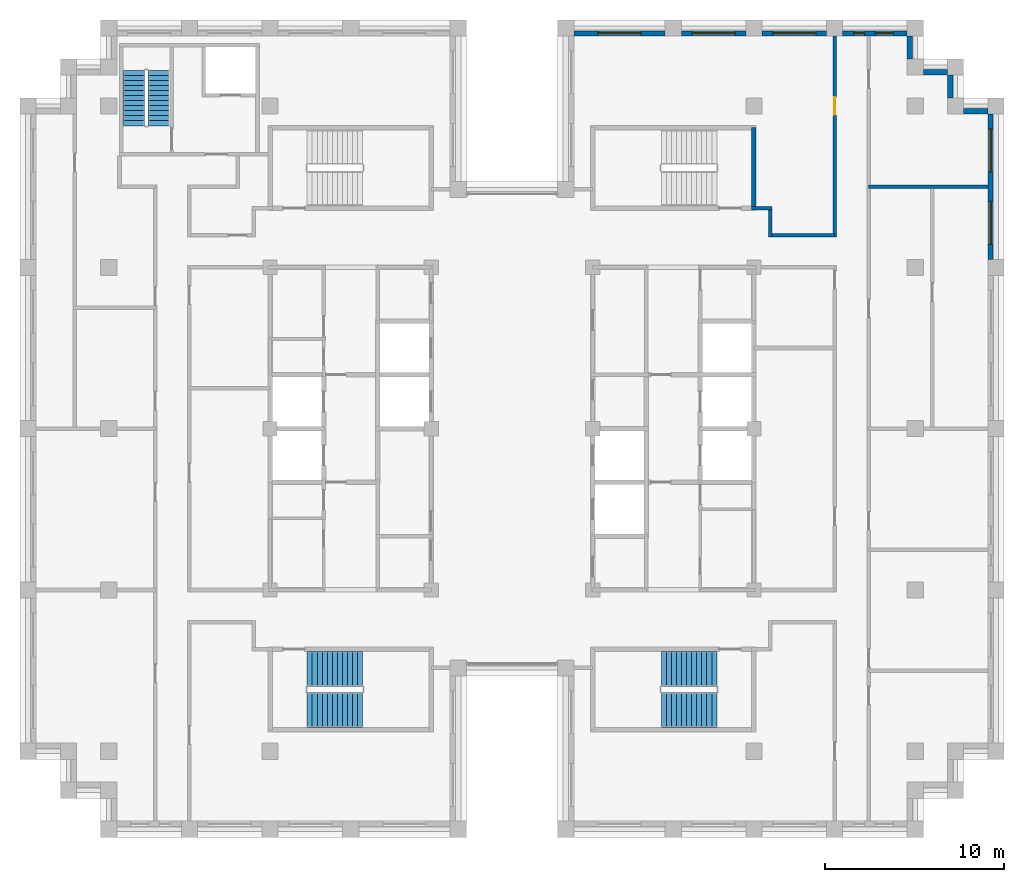
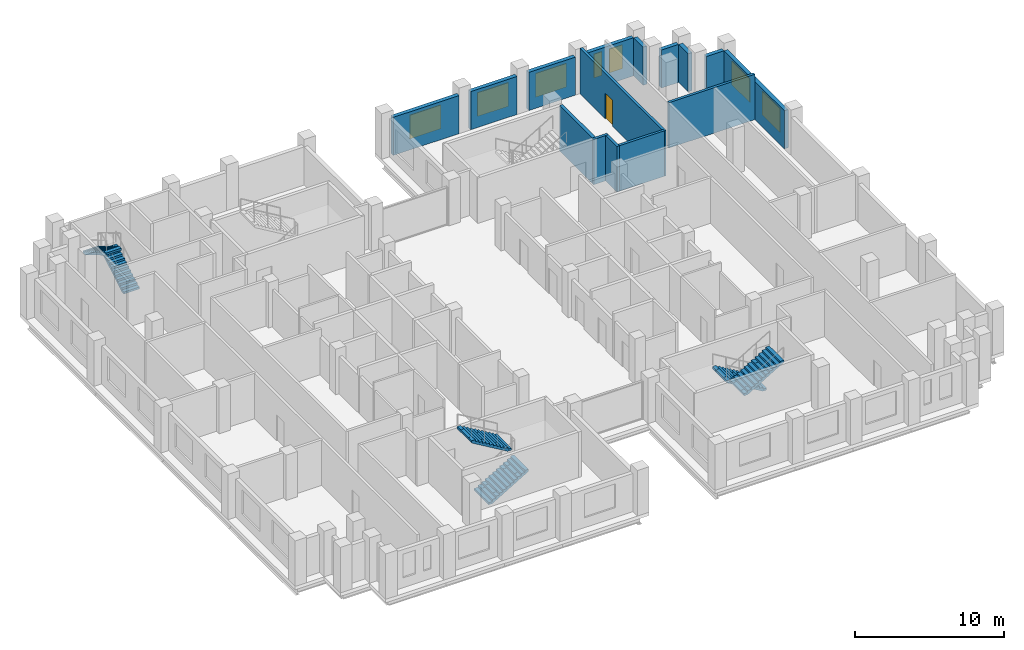
# One storey, part 11 of 13: 15 walls, 7 windows, 6 stair flights, 1 door, 8 openings, 3 elements without a shape of their own.
"""IFC4 building model written with IfcOpenShell, lengths in metres."""

from ifc_helpers import new_model, si_unit, direction, frame, frame_2d, origin, place, context, subcontext, project, spatial, polyline, rectangle, outline, extrude, material, layer, layer_set, type_object, element, fill, aggregate, save


model = new_model("IFC4")

# Units and contexts
model_context = context("Model", 3, precision=1e-05, world=origin(), true_north=direction((0.0, 1.0)))
body_context = subcontext(model_context, "Body", "Model", "MODEL_VIEW")
ifc_project = project(units=[si_unit("LENGTHUNIT", "METRE"), si_unit("AREAUNIT", "SQUARE_METRE"), si_unit("VOLUMEUNIT", "CUBIC_METRE"), si_unit("PLANEANGLEUNIT", "RADIAN"), si_unit("MASSUNIT", "GRAM", prefix="KILO")], contexts=[model_context])

# Site, building, storey
site_placement = place(None, origin())
site = spatial("IfcSite", under=ifc_project, at=site_placement, CompositionType="ELEMENT")
building_placement = place(site_placement, origin())
building = spatial("IfcBuilding", under=site, at=building_placement, Name="Corbelhall Arena Tower", CompositionType="ELEMENT")
storey_placement = place(building_placement, frame((0.0, 0.0, 250.0)))
storey = spatial("IfcBuildingStorey", under=building, at=storey_placement, Name="L53", CompositionType="ELEMENT", Elevation=250.0)

# Wall, openings, windows
ifc_material_1 = material(Name="Precast concrete C40/50 with granite facing", Category="masonry")
ifc_layer_1 = layer(ifc_material_1, 0.300048828125)
ifc_layer_set_1 = layer_set([ifc_layer_1], Name="EV-IW1 Infill panel 300")
wall_type_1 = type_object("IfcWallType", Name="EV-IW1 Infill panel 300", PredefinedType="SOLIDWALL", material=ifc_layer_set_1)
wall_1_placement = place(storey_placement, frame((26.699951171875, 9.449951171875, 0.0), z_axis=(0.0, 0.0, 1.0), x_axis=(0.0, 1.0, 0.0)))
wall_1 = element("IfcWall", 1, at=wall_1_placement, inside=storey, type_object=wall_type_1, Name="Infill panel IW1", PredefinedType="SOLIDWALL", context=body_context, shape_type="SweptSolid", body=[
    extrude(rectangle(XDim=8.10009765625, YDim=0.300048828125, at=frame_2d((4.050048828125, 0.0))), origin(), (0.0, 0.0, 1.0), 3.1201171875),
])
opening_1_placement = place(wall_1_placement, frame((0.824951171875, 0.0, 0.800048828125)))
opening_1 = element("IfcOpeningElement", 2, at=opening_1_placement, cuts=wall_1, Name="Opening WN1", PredefinedType="OPENING", context=body_context, shape_type="SweptSolid", body=[
    extrude(rectangle(XDim=2.39990234375, YDim=1.949951171875, at=frame_2d((1.199951171875, 0.97509765625))), frame((0.0, 0.14990234375, 0.0), z_axis=(0.0, -1.0, 0.0), x_axis=(1.0, 0.0, 0.0)), (0.0, 0.0, 1.0), 0.300048828125),
])
opening_2_placement = place(wall_1_placement, frame((4.875, 0.0, 0.800048828125)))
opening_2 = element("IfcOpeningElement", 3, at=opening_2_placement, cuts=wall_1, Name="Opening WN1", PredefinedType="OPENING", context=body_context, shape_type="SweptSolid", body=[
    extrude(rectangle(XDim=2.39990234375, YDim=1.949951171875, at=frame_2d((1.199951171875, 0.97509765625))), frame((0.0, 0.14990234375, 0.0), z_axis=(0.0, -1.0, 0.0), x_axis=(1.0, 0.0, 0.0)), (0.0, 0.0, 1.0), 0.300048828125),
])
ifc_material_2 = material(Name="Aluminium black anodised", Category="aluminium")
window_type_1 = type_object("IfcWindowType", Name="EV-WN1 Office window", PartitioningType="SINGLE_PANEL", PredefinedType="WINDOW", material=ifc_material_2)
window_1_placement = place(opening_1_placement, origin())
window_1 = element("IfcWindow", 4, at=window_1_placement, inside=storey, type_object=window_type_1, Name="Window WN1", OverallHeight=1.949951171875, OverallWidth=2.39990234375, PartitioningType="SINGLE_PANEL", PredefinedType="WINDOW", context=body_context, shape_type="SweptSolid", body=[
    extrude(rectangle(XDim=2.39990234375, YDim=1.949951171875, at=frame_2d((1.199951171875, 0.97509765625))), frame((0.0, 0.030029296875, 0.0), z_axis=(0.0, -1.0, 0.0), x_axis=(1.0, 0.0, 0.0)), (0.0, 0.0, 1.0), 0.06005859375),
])
fill(opening_1, window_1)
window_2_placement = place(opening_2_placement, origin())
window_2 = element("IfcWindow", 5, at=window_2_placement, inside=storey, type_object=window_type_1, Name="Window WN1", OverallHeight=1.949951171875, OverallWidth=2.39990234375, PartitioningType="SINGLE_PANEL", PredefinedType="WINDOW", context=body_context, shape_type="SweptSolid", body=[
    extrude(rectangle(XDim=2.39990234375, YDim=1.949951171875, at=frame_2d((1.199951171875, 0.97509765625))), frame((0.0, 0.030029296875, 0.0), z_axis=(0.0, -1.0, 0.0), x_axis=(1.0, 0.0, 0.0)), (0.0, 0.0, 1.0), 0.06005859375),
])
fill(opening_2, window_2)

# Walls
wall_2_placement = place(storey_placement, frame((26.550048828125, 17.699951171875, 0.0), z_axis=(0.0, 0.0, 1.0), x_axis=(-1.0, 0.0, 0.0)))
element("IfcWall", 6, at=wall_2_placement, inside=storey, type_object=wall_type_1, Name="Infill panel IW1", PredefinedType="SOLIDWALL", context=body_context, shape_type="SweptSolid", body=[
    extrude(rectangle(XDim=1.35009765625, YDim=0.300048828125, at=frame_2d((0.675048828125, 0.0))), origin(), (0.0, 0.0, 1.0), 3.1201171875),
])
wall_3_placement = place(storey_placement, frame((24.449951171875, 18.449951171875, 0.0), z_axis=(0.0, 0.0, 1.0), x_axis=(0.0, 1.0, 0.0)))
element("IfcWall", 7, at=wall_3_placement, inside=storey, type_object=wall_type_1, Name="Infill panel IW1", PredefinedType="SOLIDWALL", context=body_context, shape_type="SweptSolid", body=[
    extrude(rectangle(XDim=1.275146484375, YDim=0.300048828125, at=frame_2d((0.6376953125, 0.0))), origin(), (0.0, 0.0, 1.0), 3.1201171875),
])
wall_4_placement = place(storey_placement, frame((24.300048828125, 19.875, 0.0), z_axis=(0.0, 0.0, 1.0), x_axis=(-1.0, 0.0, 0.0)))
element("IfcWall", 8, at=wall_4_placement, inside=storey, type_object=wall_type_1, Name="Infill panel IW1", PredefinedType="SOLIDWALL", context=body_context, shape_type="SweptSolid", body=[
    extrude(rectangle(XDim=1.35009765625, YDim=0.300048828125, at=frame_2d((0.675048828125, 0.0))), origin(), (0.0, 0.0, 1.0), 3.1201171875),
])
wall_5_placement = place(storey_placement, frame((22.199951171875, 20.625, 0.0), z_axis=(0.0, 0.0, 1.0), x_axis=(0.0, 1.0, 0.0)))
element("IfcWall", 9, at=wall_5_placement, inside=storey, type_object=wall_type_1, Name="Infill panel IW1", PredefinedType="SOLIDWALL", context=body_context, shape_type="SweptSolid", body=[
    extrude(rectangle(XDim=1.27490234375, YDim=0.300048828125, at=frame_2d((0.637451171875, 0.0))), origin(), (0.0, 0.0, 1.0), 3.1201171875),
])

# Wall, openings, windows
wall_6_placement = place(storey_placement, frame((22.050048828125, 22.050048828125, 0.0), z_axis=(0.0, 0.0, 1.0), x_axis=(-1.0, 0.0, 0.0)))
wall_6 = element("IfcWall", 10, at=wall_6_placement, inside=storey, type_object=wall_type_1, Name="Infill panel IW1", PredefinedType="SOLIDWALL", context=body_context, shape_type="SweptSolid", body=[
    extrude(rectangle(XDim=3.60009765625, YDim=0.300048828125, at=frame_2d((1.800048828125, 0.0))), origin(), (0.0, 0.0, 1.0), 3.1201171875),
])
opening_3_placement = place(wall_6_placement, frame((0.77490234375, 0.0, 0.800048828125)))
opening_3 = element("IfcOpeningElement", 11, at=opening_3_placement, cuts=wall_6, Name="Opening WN6", PredefinedType="OPENING", context=body_context, shape_type="SweptSolid", body=[
    extrude(rectangle(XDim=1.0, YDim=1.949951171875, at=frame_2d((0.5, 0.97509765625))), frame((0.0, 0.14990234375, 0.0), z_axis=(0.0, -1.0, 0.0), x_axis=(1.0, 0.0, 0.0)), (0.0, 0.0, 1.0), 0.300048828125),
])
opening_4_placement = place(wall_6_placement, frame((2.375, 0.0, 0.800048828125)))
opening_4 = element("IfcOpeningElement", 12, at=opening_4_placement, cuts=wall_6, Name="Opening WN5", PredefinedType="OPENING", context=body_context, shape_type="SweptSolid", body=[
    extrude(rectangle(XDim=0.60009765625, YDim=1.949951171875, at=frame_2d((0.300048828125, 0.97509765625))), frame((0.0, 0.14990234375, 0.0), z_axis=(0.0, -1.0, 0.0), x_axis=(1.0, 0.0, 0.0)), (0.0, 0.0, 1.0), 0.300048828125),
])
window_type_2 = type_object("IfcWindowType", Name="EV-WN5 Office window 600", PartitioningType="SINGLE_PANEL", PredefinedType="WINDOW", material=ifc_material_2)
window_3_placement = place(opening_4_placement, origin())
window_3 = element("IfcWindow", 13, at=window_3_placement, inside=storey, type_object=window_type_2, Name="Window WN5", OverallHeight=1.949951171875, OverallWidth=0.60009765625, PartitioningType="SINGLE_PANEL", PredefinedType="WINDOW", context=body_context, shape_type="SweptSolid", body=[
    extrude(rectangle(XDim=0.60009765625, YDim=1.949951171875, at=frame_2d((0.300048828125, 0.97509765625))), frame((0.0, 0.030029296875, 0.0), z_axis=(0.0, -1.0, 0.0), x_axis=(1.0, 0.0, 0.0)), (0.0, 0.0, 1.0), 0.06005859375),
])
fill(opening_4, window_3)
window_type_3 = type_object("IfcWindowType", Name="EV-WN6 Office window 1000", PartitioningType="SINGLE_PANEL", PredefinedType="WINDOW", material=ifc_material_2)
window_4_placement = place(opening_3_placement, origin())
window_4 = element("IfcWindow", 14, at=window_4_placement, inside=storey, type_object=window_type_3, Name="Window WN6", OverallHeight=1.949951171875, OverallWidth=1.0, PartitioningType="SINGLE_PANEL", PredefinedType="WINDOW", context=body_context, shape_type="SweptSolid", body=[
    extrude(rectangle(XDim=1.0, YDim=1.949951171875, at=frame_2d((0.5, 0.97509765625))), frame((0.0, 0.030029296875, 0.0), z_axis=(0.0, -1.0, 0.0), x_axis=(1.0, 0.0, 0.0)), (0.0, 0.0, 1.0), 0.06005859375),
])
fill(opening_3, window_4)

# Wall, opening, window
wall_7_placement = place(storey_placement, frame((17.550048828125, 22.050048828125, 0.0), z_axis=(0.0, 0.0, 1.0), x_axis=(-1.0, 0.0, 0.0)))
wall_7 = element("IfcWall", 15, at=wall_7_placement, inside=storey, type_object=wall_type_1, Name="Infill panel IW1", PredefinedType="SOLIDWALL", context=body_context, shape_type="SweptSolid", body=[
    extrude(rectangle(XDim=3.60009765625, YDim=0.300048828125, at=frame_2d((1.800048828125, 0.0))), origin(), (0.0, 0.0, 1.0), 3.1201171875),
])
opening_5_placement = place(wall_7_placement, frame((0.60009765625, 0.0, 0.800048828125)))
opening_5 = element("IfcOpeningElement", 16, at=opening_5_placement, cuts=wall_7, Name="Opening WN1", PredefinedType="OPENING", context=body_context, shape_type="SweptSolid", body=[
    extrude(rectangle(XDim=2.39990234375, YDim=1.949951171875, at=frame_2d((1.199951171875, 0.97509765625))), frame((0.0, 0.14990234375, 0.0), z_axis=(0.0, -1.0, 0.0), x_axis=(1.0, 0.0, 0.0)), (0.0, 0.0, 1.0), 0.300048828125),
])
window_5_placement = place(opening_5_placement, origin())
window_5 = element("IfcWindow", 17, at=window_5_placement, inside=storey, type_object=window_type_1, Name="Window WN1", OverallHeight=1.949951171875, OverallWidth=2.39990234375, PartitioningType="SINGLE_PANEL", PredefinedType="WINDOW", context=body_context, shape_type="SweptSolid", body=[
    extrude(rectangle(XDim=2.39990234375, YDim=1.949951171875, at=frame_2d((1.199951171875, 0.97509765625))), frame((0.0, 0.030029296875, 0.0), z_axis=(0.0, -1.0, 0.0), x_axis=(1.0, 0.0, 0.0)), (0.0, 0.0, 1.0), 0.06005859375),
])
fill(opening_5, window_5)

wall_8_placement = place(storey_placement, frame((13.050048828125, 22.050048828125, 0.0), z_axis=(0.0, 0.0, 1.0), x_axis=(-1.0, 0.0, 0.0)))
wall_8 = element("IfcWall", 18, at=wall_8_placement, inside=storey, type_object=wall_type_1, Name="Infill panel IW1", PredefinedType="SOLIDWALL", context=body_context, shape_type="SweptSolid", body=[
    extrude(rectangle(XDim=3.60009765625, YDim=0.300048828125, at=frame_2d((1.800048828125, 0.0))), origin(), (0.0, 0.0, 1.0), 3.1201171875),
])
opening_6_placement = place(wall_8_placement, frame((0.60009765625, 0.0, 0.800048828125)))
opening_6 = element("IfcOpeningElement", 19, at=opening_6_placement, cuts=wall_8, Name="Opening WN1", PredefinedType="OPENING", context=body_context, shape_type="SweptSolid", body=[
    extrude(rectangle(XDim=2.39990234375, YDim=1.949951171875, at=frame_2d((1.199951171875, 0.97509765625))), frame((0.0, 0.14990234375, 0.0), z_axis=(0.0, -1.0, 0.0), x_axis=(1.0, 0.0, 0.0)), (0.0, 0.0, 1.0), 0.300048828125),
])
window_6_placement = place(opening_6_placement, origin())
window_6 = element("IfcWindow", 20, at=window_6_placement, inside=storey, type_object=window_type_1, Name="Window WN1", OverallHeight=1.949951171875, OverallWidth=2.39990234375, PartitioningType="SINGLE_PANEL", PredefinedType="WINDOW", context=body_context, shape_type="SweptSolid", body=[
    extrude(rectangle(XDim=2.39990234375, YDim=1.949951171875, at=frame_2d((1.199951171875, 0.97509765625))), frame((0.0, 0.030029296875, 0.0), z_axis=(0.0, -1.0, 0.0), x_axis=(1.0, 0.0, 0.0)), (0.0, 0.0, 1.0), 0.06005859375),
])
fill(opening_6, window_6)

wall_9_placement = place(storey_placement, frame((8.550048828125, 22.050048828125, 0.0), z_axis=(0.0, 0.0, 1.0), x_axis=(-1.0, 0.0, 0.0)))
wall_9 = element("IfcWall", 21, at=wall_9_placement, inside=storey, type_object=wall_type_1, Name="Infill panel IW1", PredefinedType="SOLIDWALL", context=body_context, shape_type="SweptSolid", body=[
    extrude(rectangle(XDim=5.10009765625, YDim=0.300048828125, at=frame_2d((2.550048828125, 0.0))), origin(), (0.0, 0.0, 1.0), 3.1201171875),
])
opening_7_placement = place(wall_9_placement, frame((1.35009765625, 0.0, 0.800048828125)))
opening_7 = element("IfcOpeningElement", 22, at=opening_7_placement, cuts=wall_9, Name="Opening WN1", PredefinedType="OPENING", context=body_context, shape_type="SweptSolid", body=[
    extrude(rectangle(XDim=2.39990234375, YDim=1.949951171875, at=frame_2d((1.199951171875, 0.97509765625))), frame((0.0, 0.14990234375, 0.0), z_axis=(0.0, -1.0, 0.0), x_axis=(1.0, 0.0, 0.0)), (0.0, 0.0, 1.0), 0.300048828125),
])
window_7_placement = place(opening_7_placement, origin())
window_7 = element("IfcWindow", 23, at=window_7_placement, inside=storey, type_object=window_type_1, Name="Window WN1", OverallHeight=1.949951171875, OverallWidth=2.39990234375, PartitioningType="SINGLE_PANEL", PredefinedType="WINDOW", context=body_context, shape_type="SweptSolid", body=[
    extrude(rectangle(XDim=2.39990234375, YDim=1.949951171875, at=frame_2d((1.199951171875, 0.97509765625))), frame((0.0, 0.030029296875, 0.0), z_axis=(0.0, -1.0, 0.0), x_axis=(1.0, 0.0, 0.0)), (0.0, 0.0, 1.0), 0.06005859375),
])
fill(opening_7, window_7)

# Walls
ifc_material_3 = material(Name="Gypsum board on steel stud, acoustic", Category="steel")
ifc_layer_2 = layer(ifc_material_3, 0.199951171875)
ifc_layer_set_2 = layer_set([ifc_layer_2], Name="IN-W-DM200")
wall_type_2 = type_object("IfcWallType", Name="IN-W-DM200", PredefinedType="PARTITIONING", material=ifc_layer_set_2)
wall_10_placement = place(storey_placement, frame((13.375, 12.300048828125, 0.0), z_axis=(0.0, 0.0, 1.0), x_axis=(1.0, 0.0, 0.0)))
element("IfcWall", 24, at=wall_10_placement, inside=storey, type_object=wall_type_2, Name="Partition 026", PredefinedType="PARTITIONING", context=body_context, shape_type="SweptSolid", body=[
    extrude(rectangle(XDim=1.125, YDim=0.199951171875, at=frame_2d((0.5625, 0.0))), origin(), (0.0, 0.0, 1.0), 3.719970703125),
])
wall_11_placement = place(storey_placement, frame((14.39990234375, 10.800048828125, 0.0), z_axis=(0.0, 0.0, 1.0), x_axis=(1.0, 0.0, 0.0)))
element("IfcWall", 25, at=wall_11_placement, inside=storey, type_object=wall_type_2, Name="Partition 032", PredefinedType="PARTITIONING", context=body_context, shape_type="SweptSolid", body=[
    extrude(rectangle(XDim=3.60009765625, YDim=0.199951171875, at=frame_2d((1.800048828125, 0.0))), origin(), (0.0, 0.0, 1.0), 3.719970703125),
])
wall_12_placement = place(storey_placement, frame((14.39990234375, 12.300048828125, 0.0), z_axis=(0.0, 0.0, 1.0), x_axis=(0.0, -1.0, 0.0)))
element("IfcWall", 26, at=wall_12_placement, inside=storey, type_object=wall_type_2, Name="Partition 033", PredefinedType="PARTITIONING", context=body_context, shape_type="SweptSolid", body=[
    extrude(rectangle(XDim=1.60009765625, YDim=0.199951171875, at=frame_2d((0.800048828125, 0.0))), origin(), (0.0, 0.0, 1.0), 3.719970703125),
])

# Wall, opening, door
wall_13_placement = place(storey_placement, frame((18.0, 10.699951171875, 0.0), z_axis=(0.0, 0.0, 1.0), x_axis=(0.0, 1.0, 0.0)))
wall_13 = element("IfcWall", 27, at=wall_13_placement, inside=storey, type_object=wall_type_2, Name="Partition 037", PredefinedType="PARTITIONING", context=body_context, shape_type="SweptSolid", body=[
    extrude(rectangle(XDim=11.199951171875, YDim=0.199951171875, at=frame_2d((5.60009765625, 0.0))), origin(), (0.0, 0.0, 1.0), 3.719970703125),
])
opening_8_placement = place(wall_13_placement, frame((6.800048828125, 0.0, 0.0)))
opening_8 = element("IfcOpeningElement", 28, at=opening_8_placement, cuts=wall_13, Name="Opening 16026", PredefinedType="OPENING", context=body_context, shape_type="SweptSolid", body=[
    extrude(rectangle(XDim=1.0, YDim=2.10009765625, at=frame_2d((0.5, 1.050048828125))), frame((0.0, 0.10009765625, 0.0), z_axis=(0.0, -1.0, 0.0), x_axis=(1.0, 0.0, 0.0)), (0.0, 0.0, 1.0), 0.199951171875),
])
ifc_material_4 = material(Name="Steel door set", Category="steel")
door_type = type_object("IfcDoorType", Name="IN-D-SW100", OperationType="NOTDEFINED", PredefinedType="DOOR", material=ifc_material_4)
door_placement = place(opening_8_placement, origin())
door = element("IfcDoor", 29, at=door_placement, inside=storey, type_object=door_type, Name="Door 026", OperationType="SINGLE_SWING_LEFT", OverallHeight=2.10009765625, OverallWidth=1.0, PredefinedType="DOOR", context=body_context, shape_type="SweptSolid", body=[
    extrude(rectangle(XDim=1.0, YDim=2.10009765625, at=frame_2d((0.5, 1.050048828125))), frame((0.0, 0.02490234375, 0.0), z_axis=(0.0, -1.0, 0.0), x_axis=(1.0, 0.0, 0.0)), (0.0, 0.0, 1.0), 0.050048828125),
])
fill(opening_8, door)

# Walls
wall_14_placement = place(storey_placement, frame((19.89990234375, 13.5, 0.0), z_axis=(0.0, 0.0, 1.0), x_axis=(1.0, 0.0, 0.0)))
element("IfcWall", 30, at=wall_14_placement, inside=storey, type_object=wall_type_2, Name="Partition 041", PredefinedType="PARTITIONING", context=body_context, shape_type="SweptSolid", body=[
    extrude(rectangle(XDim=6.650146484375, YDim=0.199951171875, at=frame_2d((3.3251953125, 0.0))), origin(), (0.0, 0.0, 1.0), 3.719970703125),
])
ifc_material_5 = material(Name="Concrete C40/50", Category="concrete")
ifc_layer_3 = layer(ifc_material_5, 0.25)
ifc_layer_set_3 = layer_set([ifc_layer_3], Name="IN-W-ST250")
wall_type_3 = type_object("IfcWallType", Name="IN-W-ST250", PredefinedType="SOLIDWALL", material=ifc_layer_set_3)
wall_15_placement = place(storey_placement, frame((13.5, 16.800048828125, 0.0), z_axis=(0.0, 0.0, 1.0), x_axis=(0.0, -1.0, 0.0)))
element("IfcWall", 31, at=wall_15_placement, inside=storey, type_object=wall_type_3, Name="Shaft wall 101", PredefinedType="SOLIDWALL", context=body_context, shape_type="SweptSolid", body=[
    extrude(rectangle(XDim=4.5, YDim=0.25, at=frame_2d((2.25, 0.0))), origin(), (0.0, 0.0, 1.0), 3.719970703125),
])

# Stair, stair flights
stair_type = type_object("IfcStairType", Name="IN-ST-TOWER", PredefinedType="HALF_TURN_STAIR", material=ifc_material_5)
stair_1_placement = place(storey_placement, origin())
stair_1 = element("IfcStair", 32, at=stair_1_placement, inside=storey, type_object=stair_type, Name="L53 Exit stair ST2", PredefinedType="HALF_TURN_STAIR")
stair_flight_type = type_object("IfcStairFlightType", Name="IN-SFL-RC", PredefinedType="STRAIGHT", material=ifc_material_5)
stair_flight_1_placement = place(storey_placement, frame((-11.425048828125, -15.699951171875, 0.0), z_axis=(0.0, 0.0, 1.0), x_axis=(1.0, 0.0, 0.0)))
stair_flight_1 = element("IfcStairFlight", 33, at=stair_flight_1_placement, type_object=stair_flight_type, Name="ST2 flight 1", NumberOfRisers=12, NumberOfTreads=11, PredefinedType="STRAIGHT", RiserHeight=0.166666667, TreadLength=0.28, context=body_context, shape_type="SweptSolid", body=[
    extrude(outline(polyline([(0.0, 0.0), (0.0, 0.166748046875), (0.280029296875, 0.166748046875), (0.280029296875, 0.333251953125), (0.56005859375, 0.333251953125), (0.56005859375, 0.5), (0.840087890625, 0.5), (0.840087890625, 0.666748046875), (1.1201171875, 0.666748046875), (1.1201171875, 0.833251953125), (1.39990234375, 0.833251953125), (1.39990234375, 1.0), (1.679931640625, 1.0), (1.679931640625, 1.166748046875), (1.9599609375, 1.166748046875), (1.9599609375, 1.333251953125), (2.239990234375, 1.333251953125), (2.239990234375, 1.5), (2.52001953125, 1.5), (2.52001953125, 1.666748046875), (2.800048828125, 1.666748046875), (2.800048828125, 1.833251953125), (3.080078125, 1.833251953125), (3.080078125, 2.0), (3.080078125, 1.658935546875), (0.29296875, 0.0), (0.0, 0.0)])), frame((0.0, 0.97509765625, 0.0), z_axis=(0.0, -1.0, 0.0), x_axis=(1.0, 0.0, 0.0)), (0.0, 0.0, 1.0), 0.449951171875),
    extrude(outline(polyline([(0.0, 0.0), (0.0, 0.166748046875), (0.280029296875, 0.166748046875), (0.280029296875, 0.333251953125), (0.56005859375, 0.333251953125), (0.56005859375, 0.5), (0.840087890625, 0.5), (0.840087890625, 0.666748046875), (1.1201171875, 0.666748046875), (1.1201171875, 0.833251953125), (1.39990234375, 0.833251953125), (1.39990234375, 1.0), (1.679931640625, 1.0), (1.679931640625, 1.166748046875), (1.9599609375, 1.166748046875), (1.9599609375, 1.333251953125), (2.239990234375, 1.333251953125), (2.239990234375, 1.5), (2.52001953125, 1.5), (2.52001953125, 1.666748046875), (2.800048828125, 1.666748046875), (2.800048828125, 1.833251953125), (3.080078125, 1.833251953125), (3.080078125, 2.0), (3.080078125, 1.658935546875), (0.29296875, 0.0), (0.0, 0.0)])), frame((0.0, 0.52099609375, 0.0), z_axis=(0.0, -1.0, 0.0), x_axis=(1.0, 0.0, 0.0)), (0.0, 0.0, 1.0), 1.0419921875),
    extrude(outline(polyline([(0.0, 0.0), (0.0, 0.166748046875), (0.280029296875, 0.166748046875), (0.280029296875, 0.333251953125), (0.56005859375, 0.333251953125), (0.56005859375, 0.5), (0.840087890625, 0.5), (0.840087890625, 0.666748046875), (1.1201171875, 0.666748046875), (1.1201171875, 0.833251953125), (1.39990234375, 0.833251953125), (1.39990234375, 1.0), (1.679931640625, 1.0), (1.679931640625, 1.166748046875), (1.9599609375, 1.166748046875), (1.9599609375, 1.333251953125), (2.239990234375, 1.333251953125), (2.239990234375, 1.5), (2.52001953125, 1.5), (2.52001953125, 1.666748046875), (2.800048828125, 1.666748046875), (2.800048828125, 1.833251953125), (3.080078125, 1.833251953125), (3.080078125, 2.0), (3.080078125, 1.658935546875), (0.29296875, 0.0), (0.0, 0.0)])), frame((0.0, -0.52490234375, 0.0), z_axis=(0.0, -1.0, 0.0), x_axis=(1.0, 0.0, 0.0)), (0.0, 0.0, 1.0), 0.449951171875),
])
stair_flight_2_placement = place(storey_placement, frame((-8.344970703125, -13.39990234375, 2.0), z_axis=(0.0, 0.0, 1.0), x_axis=(-1.0, 0.0, 0.0)))
stair_flight_2 = element("IfcStairFlight", 34, at=stair_flight_2_placement, type_object=stair_flight_type, Name="ST2 flight 2", NumberOfRisers=12, NumberOfTreads=11, PredefinedType="STRAIGHT", RiserHeight=0.166666667, TreadLength=0.28, context=body_context, shape_type="SweptSolid", body=[
    extrude(outline(polyline([(0.0, 0.0), (0.0, 0.166748046875), (0.280029296875, 0.166748046875), (0.280029296875, 0.333251953125), (0.56005859375, 0.333251953125), (0.56005859375, 0.5), (0.840087890625, 0.5), (0.840087890625, 0.666748046875), (1.1201171875, 0.666748046875), (1.1201171875, 0.833251953125), (1.39990234375, 0.833251953125), (1.39990234375, 1.0), (1.679931640625, 1.0), (1.679931640625, 1.166748046875), (1.9599609375, 1.166748046875), (1.9599609375, 1.333251953125), (2.239990234375, 1.333251953125), (2.239990234375, 1.5), (2.52001953125, 1.5), (2.52001953125, 1.666748046875), (2.800048828125, 1.666748046875), (2.800048828125, 1.833251953125), (3.080078125, 1.833251953125), (3.080078125, 2.0), (3.080078125, 1.658935546875), (0.29296875, 0.0), (0.0, 0.0)])), frame((0.0, 0.97509765625, 0.0), z_axis=(0.0, -1.0, 0.0), x_axis=(1.0, 0.0, 0.0)), (0.0, 0.0, 1.0), 0.449951171875),
    extrude(outline(polyline([(0.0, 0.0), (0.0, 0.166748046875), (0.280029296875, 0.166748046875), (0.280029296875, 0.333251953125), (0.56005859375, 0.333251953125), (0.56005859375, 0.5), (0.840087890625, 0.5), (0.840087890625, 0.666748046875), (1.1201171875, 0.666748046875), (1.1201171875, 0.833251953125), (1.39990234375, 0.833251953125), (1.39990234375, 1.0), (1.679931640625, 1.0), (1.679931640625, 1.166748046875), (1.9599609375, 1.166748046875), (1.9599609375, 1.333251953125), (2.239990234375, 1.333251953125), (2.239990234375, 1.5), (2.52001953125, 1.5), (2.52001953125, 1.666748046875), (2.800048828125, 1.666748046875), (2.800048828125, 1.833251953125), (3.080078125, 1.833251953125), (3.080078125, 2.0), (3.080078125, 1.658935546875), (0.29296875, 0.0), (0.0, 0.0)])), frame((0.0, 0.52099609375, 0.0), z_axis=(0.0, -1.0, 0.0), x_axis=(1.0, 0.0, 0.0)), (0.0, 0.0, 1.0), 1.0419921875),
    extrude(outline(polyline([(0.0, 0.0), (0.0, 0.166748046875), (0.280029296875, 0.166748046875), (0.280029296875, 0.333251953125), (0.56005859375, 0.333251953125), (0.56005859375, 0.5), (0.840087890625, 0.5), (0.840087890625, 0.666748046875), (1.1201171875, 0.666748046875), (1.1201171875, 0.833251953125), (1.39990234375, 0.833251953125), (1.39990234375, 1.0), (1.679931640625, 1.0), (1.679931640625, 1.166748046875), (1.9599609375, 1.166748046875), (1.9599609375, 1.333251953125), (2.239990234375, 1.333251953125), (2.239990234375, 1.5), (2.52001953125, 1.5), (2.52001953125, 1.666748046875), (2.800048828125, 1.666748046875), (2.800048828125, 1.833251953125), (3.080078125, 1.833251953125), (3.080078125, 2.0), (3.080078125, 1.658935546875), (0.29296875, 0.0), (0.0, 0.0)])), frame((0.0, -0.52490234375, 0.0), z_axis=(0.0, -1.0, 0.0), x_axis=(1.0, 0.0, 0.0)), (0.0, 0.0, 1.0), 0.449951171875),
])
aggregate(stair_1, [stair_flight_1, stair_flight_2])

stair_2_placement = place(storey_placement, origin())
stair_2 = element("IfcStair", 35, at=stair_2_placement, inside=storey, type_object=stair_type, Name="L53 Exit stair ST4", PredefinedType="HALF_TURN_STAIR")
stair_flight_3_placement = place(storey_placement, frame((11.425048828125, -13.39990234375, 0.0), z_axis=(0.0, 0.0, 1.0), x_axis=(-1.0, 0.0, 0.0)))
stair_flight_3 = element("IfcStairFlight", 36, at=stair_flight_3_placement, type_object=stair_flight_type, Name="ST4 flight 1", NumberOfRisers=12, NumberOfTreads=11, PredefinedType="STRAIGHT", RiserHeight=0.166666667, TreadLength=0.28, context=body_context, shape_type="SweptSolid", body=[
    extrude(outline(polyline([(0.0, 0.0), (0.0, 0.166748046875), (0.280029296875, 0.166748046875), (0.280029296875, 0.333251953125), (0.56005859375, 0.333251953125), (0.56005859375, 0.5), (0.840087890625, 0.5), (0.840087890625, 0.666748046875), (1.1201171875, 0.666748046875), (1.1201171875, 0.833251953125), (1.39990234375, 0.833251953125), (1.39990234375, 1.0), (1.679931640625, 1.0), (1.679931640625, 1.166748046875), (1.9599609375, 1.166748046875), (1.9599609375, 1.333251953125), (2.239990234375, 1.333251953125), (2.239990234375, 1.5), (2.52001953125, 1.5), (2.52001953125, 1.666748046875), (2.800048828125, 1.666748046875), (2.800048828125, 1.833251953125), (3.080078125, 1.833251953125), (3.080078125, 2.0), (3.080078125, 1.658935546875), (0.29296875, 0.0), (0.0, 0.0)])), frame((0.0, 0.97509765625, 0.0), z_axis=(0.0, -1.0, 0.0), x_axis=(1.0, 0.0, 0.0)), (0.0, 0.0, 1.0), 0.449951171875),
    extrude(outline(polyline([(0.0, 0.0), (0.0, 0.166748046875), (0.280029296875, 0.166748046875), (0.280029296875, 0.333251953125), (0.56005859375, 0.333251953125), (0.56005859375, 0.5), (0.840087890625, 0.5), (0.840087890625, 0.666748046875), (1.1201171875, 0.666748046875), (1.1201171875, 0.833251953125), (1.39990234375, 0.833251953125), (1.39990234375, 1.0), (1.679931640625, 1.0), (1.679931640625, 1.166748046875), (1.9599609375, 1.166748046875), (1.9599609375, 1.333251953125), (2.239990234375, 1.333251953125), (2.239990234375, 1.5), (2.52001953125, 1.5), (2.52001953125, 1.666748046875), (2.800048828125, 1.666748046875), (2.800048828125, 1.833251953125), (3.080078125, 1.833251953125), (3.080078125, 2.0), (3.080078125, 1.658935546875), (0.29296875, 0.0), (0.0, 0.0)])), frame((0.0, 0.52099609375, 0.0), z_axis=(0.0, -1.0, 0.0), x_axis=(1.0, 0.0, 0.0)), (0.0, 0.0, 1.0), 1.0419921875),
    extrude(outline(polyline([(0.0, 0.0), (0.0, 0.166748046875), (0.280029296875, 0.166748046875), (0.280029296875, 0.333251953125), (0.56005859375, 0.333251953125), (0.56005859375, 0.5), (0.840087890625, 0.5), (0.840087890625, 0.666748046875), (1.1201171875, 0.666748046875), (1.1201171875, 0.833251953125), (1.39990234375, 0.833251953125), (1.39990234375, 1.0), (1.679931640625, 1.0), (1.679931640625, 1.166748046875), (1.9599609375, 1.166748046875), (1.9599609375, 1.333251953125), (2.239990234375, 1.333251953125), (2.239990234375, 1.5), (2.52001953125, 1.5), (2.52001953125, 1.666748046875), (2.800048828125, 1.666748046875), (2.800048828125, 1.833251953125), (3.080078125, 1.833251953125), (3.080078125, 2.0), (3.080078125, 1.658935546875), (0.29296875, 0.0), (0.0, 0.0)])), frame((0.0, -0.52490234375, 0.0), z_axis=(0.0, -1.0, 0.0), x_axis=(1.0, 0.0, 0.0)), (0.0, 0.0, 1.0), 0.449951171875),
])
stair_flight_4_placement = place(storey_placement, frame((8.344970703125, -15.699951171875, 2.0), z_axis=(0.0, 0.0, 1.0), x_axis=(1.0, 0.0, 0.0)))
stair_flight_4 = element("IfcStairFlight", 37, at=stair_flight_4_placement, type_object=stair_flight_type, Name="ST4 flight 2", NumberOfRisers=12, NumberOfTreads=11, PredefinedType="STRAIGHT", RiserHeight=0.166666667, TreadLength=0.28, context=body_context, shape_type="SweptSolid", body=[
    extrude(outline(polyline([(0.0, 0.0), (0.0, 0.166748046875), (0.280029296875, 0.166748046875), (0.280029296875, 0.333251953125), (0.56005859375, 0.333251953125), (0.56005859375, 0.5), (0.840087890625, 0.5), (0.840087890625, 0.666748046875), (1.1201171875, 0.666748046875), (1.1201171875, 0.833251953125), (1.39990234375, 0.833251953125), (1.39990234375, 1.0), (1.679931640625, 1.0), (1.679931640625, 1.166748046875), (1.9599609375, 1.166748046875), (1.9599609375, 1.333251953125), (2.239990234375, 1.333251953125), (2.239990234375, 1.5), (2.52001953125, 1.5), (2.52001953125, 1.666748046875), (2.800048828125, 1.666748046875), (2.800048828125, 1.833251953125), (3.080078125, 1.833251953125), (3.080078125, 2.0), (3.080078125, 1.658935546875), (0.29296875, 0.0), (0.0, 0.0)])), frame((0.0, 0.97509765625, 0.0), z_axis=(0.0, -1.0, 0.0), x_axis=(1.0, 0.0, 0.0)), (0.0, 0.0, 1.0), 0.449951171875),
    extrude(outline(polyline([(0.0, 0.0), (0.0, 0.166748046875), (0.280029296875, 0.166748046875), (0.280029296875, 0.333251953125), (0.56005859375, 0.333251953125), (0.56005859375, 0.5), (0.840087890625, 0.5), (0.840087890625, 0.666748046875), (1.1201171875, 0.666748046875), (1.1201171875, 0.833251953125), (1.39990234375, 0.833251953125), (1.39990234375, 1.0), (1.679931640625, 1.0), (1.679931640625, 1.166748046875), (1.9599609375, 1.166748046875), (1.9599609375, 1.333251953125), (2.239990234375, 1.333251953125), (2.239990234375, 1.5), (2.52001953125, 1.5), (2.52001953125, 1.666748046875), (2.800048828125, 1.666748046875), (2.800048828125, 1.833251953125), (3.080078125, 1.833251953125), (3.080078125, 2.0), (3.080078125, 1.658935546875), (0.29296875, 0.0), (0.0, 0.0)])), frame((0.0, 0.52099609375, 0.0), z_axis=(0.0, -1.0, 0.0), x_axis=(1.0, 0.0, 0.0)), (0.0, 0.0, 1.0), 1.0419921875),
    extrude(outline(polyline([(0.0, 0.0), (0.0, 0.166748046875), (0.280029296875, 0.166748046875), (0.280029296875, 0.333251953125), (0.56005859375, 0.333251953125), (0.56005859375, 0.5), (0.840087890625, 0.5), (0.840087890625, 0.666748046875), (1.1201171875, 0.666748046875), (1.1201171875, 0.833251953125), (1.39990234375, 0.833251953125), (1.39990234375, 1.0), (1.679931640625, 1.0), (1.679931640625, 1.166748046875), (1.9599609375, 1.166748046875), (1.9599609375, 1.333251953125), (2.239990234375, 1.333251953125), (2.239990234375, 1.5), (2.52001953125, 1.5), (2.52001953125, 1.666748046875), (2.800048828125, 1.666748046875), (2.800048828125, 1.833251953125), (3.080078125, 1.833251953125), (3.080078125, 2.0), (3.080078125, 1.658935546875), (0.29296875, 0.0), (0.0, 0.0)])), frame((0.0, -0.52490234375, 0.0), z_axis=(0.0, -1.0, 0.0), x_axis=(1.0, 0.0, 0.0)), (0.0, 0.0, 1.0), 0.449951171875),
])
aggregate(stair_2, [stair_flight_3, stair_flight_4])

stair_3_placement = place(storey_placement, origin())
stair_3 = element("IfcStair", 38, at=stair_3_placement, inside=storey, type_object=stair_type, Name="L53 Exit stair ST5", PredefinedType="HALF_TURN_STAIR")
stair_flight_5_placement = place(storey_placement, frame((-19.695068359375, 16.89990234375, 0.0), z_axis=(0.0, 0.0, 1.0), x_axis=(0.0, 1.0, 0.0)))
stair_flight_5 = element("IfcStairFlight", 39, at=stair_flight_5_placement, type_object=stair_flight_type, Name="ST5 flight 1", NumberOfRisers=12, NumberOfTreads=11, PredefinedType="STRAIGHT", RiserHeight=0.166666667, TreadLength=0.28, context=body_context, shape_type="SweptSolid", body=[
    extrude(outline(polyline([(0.0, 0.0), (0.0, 0.166748046875), (0.280029296875, 0.166748046875), (0.280029296875, 0.333251953125), (0.56005859375, 0.333251953125), (0.56005859375, 0.5), (0.840087890625, 0.5), (0.840087890625, 0.666748046875), (1.1201171875, 0.666748046875), (1.1201171875, 0.833251953125), (1.39990234375, 0.833251953125), (1.39990234375, 1.0), (1.679931640625, 1.0), (1.679931640625, 1.166748046875), (1.9599609375, 1.166748046875), (1.9599609375, 1.333251953125), (2.239990234375, 1.333251953125), (2.239990234375, 1.5), (2.52001953125, 1.5), (2.52001953125, 1.666748046875), (2.800048828125, 1.666748046875), (2.800048828125, 1.833251953125), (3.080078125, 1.833251953125), (3.080078125, 2.0), (3.080078125, 1.658935546875), (0.29296875, 0.0), (0.0, 0.0)])), frame((0.0, 0.60009765625, 0.0), z_axis=(0.0, -1.0, 0.0), x_axis=(1.0, 0.0, 0.0)), (0.0, 0.0, 1.0), 1.199951171875),
])
stair_flight_6_placement = place(storey_placement, frame((-21.094970703125, 19.97998046875, 2.0), z_axis=(0.0, 0.0, 1.0), x_axis=(0.0, -1.0, 0.0)))
stair_flight_6 = element("IfcStairFlight", 40, at=stair_flight_6_placement, type_object=stair_flight_type, Name="ST5 flight 2", NumberOfRisers=12, NumberOfTreads=11, PredefinedType="STRAIGHT", RiserHeight=0.166666667, TreadLength=0.28, context=body_context, shape_type="SweptSolid", body=[
    extrude(outline(polyline([(0.0, 0.0), (0.0, 0.166748046875), (0.280029296875, 0.166748046875), (0.280029296875, 0.333251953125), (0.56005859375, 0.333251953125), (0.56005859375, 0.5), (0.840087890625, 0.5), (0.840087890625, 0.666748046875), (1.1201171875, 0.666748046875), (1.1201171875, 0.833251953125), (1.39990234375, 0.833251953125), (1.39990234375, 1.0), (1.679931640625, 1.0), (1.679931640625, 1.166748046875), (1.9599609375, 1.166748046875), (1.9599609375, 1.333251953125), (2.239990234375, 1.333251953125), (2.239990234375, 1.5), (2.52001953125, 1.5), (2.52001953125, 1.666748046875), (2.800048828125, 1.666748046875), (2.800048828125, 1.833251953125), (3.080078125, 1.833251953125), (3.080078125, 2.0), (3.080078125, 1.658935546875), (0.29296875, 0.0), (0.0, 0.0)])), frame((0.0, 0.60009765625, 0.0), z_axis=(0.0, -1.0, 0.0), x_axis=(1.0, 0.0, 0.0)), (0.0, 0.0, 1.0), 1.199951171875),
])
aggregate(stair_3, [stair_flight_5, stair_flight_6])

save(model, "model.ifc")
